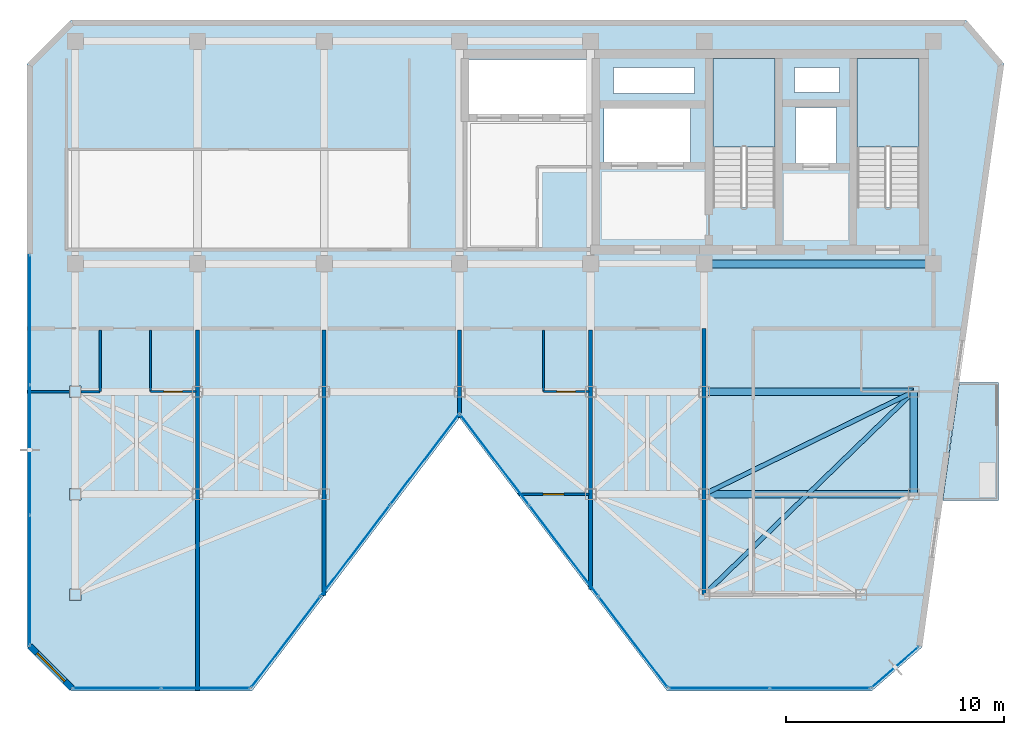
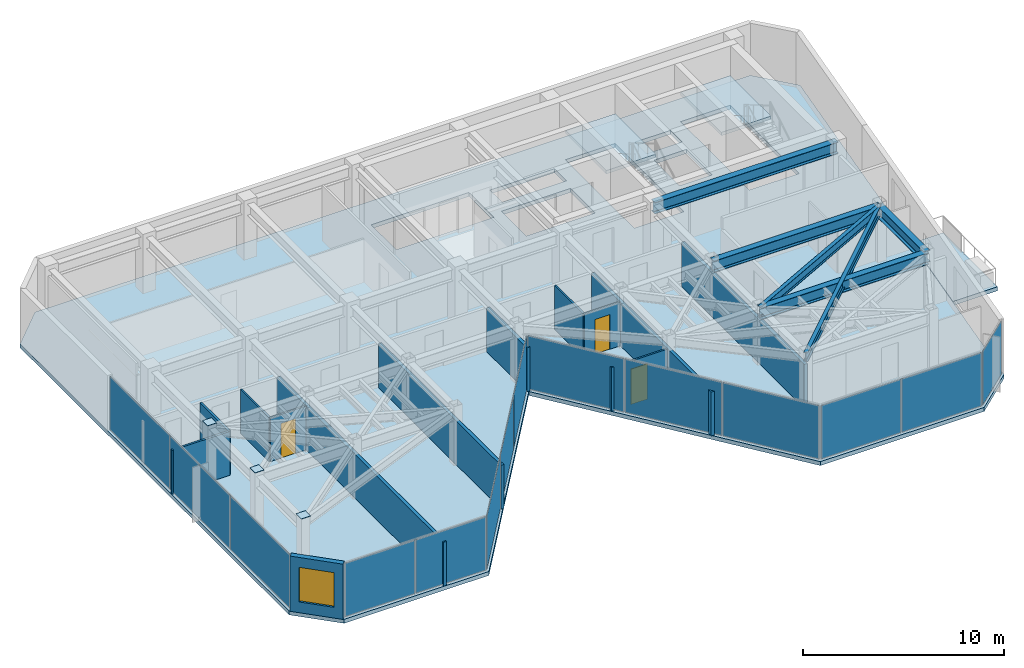
# One storey, part 15 of 19: 17 plates, 13 walls, 6 beams, 4 slabs, 3 doors, 1 window, 4 openings, 8 elements without a shape of their own.
"""IFC4 building model written with IfcOpenShell, lengths in metres."""

from ifc_helpers import new_model, si_unit, direction, frame, frame_2d, origin, origin_2d, place, context, subcontext, project, spatial, polyline, rectangle, i_section, outline, extrude, material, layer, layer_set, material_profile, profile_set, type_object, element, fill, aggregate, save


model = new_model("IFC4")

# Units and contexts
model_context = context("Model", 3, precision=1e-05, world=origin(), true_north=direction((0.0, 1.0)))
body_context = subcontext(model_context, "Body", "Model", "MODEL_VIEW")
ifc_project = project(units=[si_unit("LENGTHUNIT", "METRE"), si_unit("AREAUNIT", "SQUARE_METRE"), si_unit("VOLUMEUNIT", "CUBIC_METRE"), si_unit("PLANEANGLEUNIT", "RADIAN"), si_unit("MASSUNIT", "GRAM", prefix="KILO")], contexts=[model_context])

# Site, building, storey
site_placement = place(None, origin())
site = spatial("IfcSite", under=ifc_project, at=site_placement, CompositionType="ELEMENT")
building_placement = place(site_placement, origin())
building = spatial("IfcBuilding", under=site, at=building_placement, Name="Kravanh Interchange Tower", CompositionType="ELEMENT")
storey_placement = place(building_placement, frame((0.0, 0.0, 259.800048828125)))
storey = spatial("IfcBuildingStorey", under=building, at=storey_placement, Name="L63", CompositionType="ELEMENT", Elevation=259.800048828125)

# Beams
ifc_material_1 = material(Name="Structural Steel S355", Category="steel")
ifc_material_profile_1 = material_profile(ifc_material_1, i_section(OverallWidth=0.35498046875, OverallDepth=0.696044921875, WebThickness=0.015380859375, FlangeThickness=0.02490234375, FilletRadius=0.02392578125, at=origin_2d()), Name="W27X146")
ifc_profile_set_1 = profile_set([ifc_material_profile_1], Name="Structural Steel S355")
beam_type_1 = type_object("IfcBeamType", Name="Floor Beam W27X146 Structural Steel S355", PredefinedType="BEAM", material=ifc_profile_set_1)
beam_1_placement = place(storey_placement, frame((56.0, 31.5, 3.001953125), z_axis=(1.0, 0.0, 0.0), x_axis=(0.0, 1.0, 0.0)))
element("IfcBeam", 1, at=beam_1_placement, inside=storey, type_object=beam_type_1, Name="L63 Primary Floor Girder 12", PredefinedType="BEAM", context=body_context, shape_type="SweptSolid", body=[
    extrude(i_section(OverallWidth=0.35498046875, OverallDepth=0.696044921875, WebThickness=0.015380859375, FlangeThickness=0.02490234375, FilletRadius=0.02392578125, at=origin_2d()), origin(), (0.0, 0.0, 1.0), 9.60009765625),
])
beam_2_placement = place(storey_placement, frame((65.60009765625, 31.5, 3.001953125), z_axis=(0.0, -1.0, 0.0), x_axis=(1.0, 0.0, 0.0)))
element("IfcBeam", 2, at=beam_2_placement, inside=storey, type_object=beam_type_1, Name="L63 Primary Floor Girder 13", PredefinedType="BEAM", context=body_context, shape_type="SweptSolid", body=[
    extrude(i_section(OverallWidth=0.35498046875, OverallDepth=0.696044921875, WebThickness=0.015380859375, FlangeThickness=0.02490234375, FilletRadius=0.02392578125, at=origin_2d()), origin(), (0.0, 0.0, 1.0), 4.699951171875),
])
beam_3_placement = place(storey_placement, frame((56.0, 26.800048828125, 3.001953125), z_axis=(1.0, 0.0, 0.0), x_axis=(0.0, 1.0, 0.0)))
element("IfcBeam", 3, at=beam_3_placement, inside=storey, type_object=beam_type_1, Name="L63 Primary Floor Girder 36", PredefinedType="BEAM", context=body_context, shape_type="SweptSolid", body=[
    extrude(i_section(OverallWidth=0.35498046875, OverallDepth=0.696044921875, WebThickness=0.015380859375, FlangeThickness=0.02490234375, FilletRadius=0.02392578125, at=origin_2d()), origin(), (0.0, 0.0, 1.0), 9.60009765625),
])
beam_4_placement = place(storey_placement, frame((66.5, 37.35009765625, 3.001953125), z_axis=(-1.0, 0.0, 0.0), x_axis=(0.0, -1.0, 0.0)))
element("IfcBeam", 4, at=beam_4_placement, inside=storey, type_object=beam_type_1, Name="L63 Primary Floor Girder 47", PredefinedType="BEAM", context=body_context, shape_type="SweptSolid", body=[
    extrude(i_section(OverallWidth=0.35498046875, OverallDepth=0.696044921875, WebThickness=0.015380859375, FlangeThickness=0.02490234375, FilletRadius=0.02392578125, at=origin_2d()), origin(), (0.0, 0.0, 1.0), 10.5),
])
ifc_material_2 = material(Name="Structural Steel S355", Category="steel")
ifc_material_profile_2 = material_profile(ifc_material_2, i_section(OverallWidth=0.2099609375, OverallDepth=0.537109375, WebThickness=0.010986328125, FlangeThickness=0.017333984375, FilletRadius=0.02001953125, at=origin_2d()), Name="W21X68")
ifc_profile_set_2 = profile_set([ifc_material_profile_2], Name="Structural Steel S355")
beam_type_2 = type_object("IfcBeamType", Name="Floor Spandrel W21X68 Structural Steel S355", PredefinedType="SPANDREL", material=ifc_profile_set_2)
beam_5_placement = place(storey_placement, frame((65.60009765625, 31.5, 3.08154296875), z_axis=(-0.898141688387, -0.439706160499, 0.0), x_axis=(0.439706160499, -0.898141688387, 0.0)))
element("IfcBeam", 5, at=beam_5_placement, inside=storey, type_object=beam_type_2, Name="L63 Perimeter Spandrel 15", PredefinedType="SPANDREL", context=body_context, shape_type="SweptSolid", body=[
    extrude(i_section(OverallWidth=0.2099609375, OverallDepth=0.537109375, WebThickness=0.010986328125, FlangeThickness=0.017333984375, FilletRadius=0.02001953125, at=origin_2d()), origin(), (0.0, 0.0, 1.0), 10.68896484375),
])
beam_6_placement = place(storey_placement, frame((65.60009765625, 31.5, 3.08154296875), z_axis=(-0.718241934329, -0.695793449072, 0.0), x_axis=(0.695793449072, -0.718241934329, 0.0)))
element("IfcBeam", 6, at=beam_6_placement, inside=storey, type_object=beam_type_2, Name="L63 Perimeter Spandrel 16", PredefinedType="SPANDREL", context=body_context, shape_type="SweptSolid", body=[
    extrude(i_section(OverallWidth=0.2099609375, OverallDepth=0.537109375, WebThickness=0.010986328125, FlangeThickness=0.017333984375, FilletRadius=0.02001953125, at=origin_2d()), origin(), (0.0, 0.0, 1.0), 13.3662109375),
])

# Curtain wall, plates
ifc_material_3 = material(Name="Anodised Bronze Aluminium", Category="aluminium")
ifc_layer_1 = layer(ifc_material_3, 0.179931640625)
ifc_layer_set_1 = layer_set([ifc_layer_1], Name="Unitised Curtain Wall System CW-HTL Luxury Hotel")
curtain_wall_type = type_object("IfcCurtainWallType", Name="Unitised Curtain Wall System CW-HTL Luxury Hotel", PredefinedType="NOTDEFINED", material=ifc_layer_set_1)
curtain_wall_1_placement = place(storey_placement, origin())
curtain_wall_1 = element("IfcCurtainWall", 7, at=curtain_wall_1_placement, inside=storey, type_object=curtain_wall_type, Name="L63 Unitised Curtain Wall CW-L63-01", PredefinedType="NOTDEFINED")
ifc_material_4 = material(Name="Low-E Laminated Architectural Glass", Category="glass")
ifc_layer_2 = layer(ifc_material_4, 0.030029296875)
ifc_layer_set_2 = layer_set([ifc_layer_2], Name="Acoustic Laminated Glazing 30mm")
plate_type_1 = type_object("IfcPlateType", Name="Acoustic Laminated Glazing 30mm", PredefinedType="CURTAIN_PANEL", material=ifc_layer_set_2)
plate_1_placement = place(storey_placement, frame((25.1201171875, 22.8564453125, 0.06005859375), z_axis=(0.0, 0.0, 1.0), x_axis=(0.0, 1.0, 0.0)))
plate_1 = element("IfcPlate", 8, at=plate_1_placement, type_object=plate_type_1, Name="CW-HTL panel 1.1", PredefinedType="CURTAIN_PANEL", context=body_context, shape_type="SweptSolid", body=[
    extrude(rectangle(XDim=5.8935546875, YDim=0.030029296875, at=origin_2d()), origin(), (0.0, 0.0, 1.0), 3.22998046875),
])
plate_2_placement = place(storey_placement, frame((25.1201171875, 28.824951171875, 0.06005859375), z_axis=(0.0, 0.0, 1.0), x_axis=(0.0, 1.0, 0.0)))
plate_2 = element("IfcPlate", 9, at=plate_2_placement, type_object=plate_type_1, Name="CW-HTL panel 2.1", PredefinedType="CURTAIN_PANEL", context=body_context, shape_type="SweptSolid", body=[
    extrude(rectangle(XDim=5.92333984375, YDim=0.030029296875, at=origin_2d()), origin(), (0.0, 0.0, 1.0), 3.22998046875),
])
plate_3_placement = place(storey_placement, frame((25.1201171875, 34.793212890625, 0.06005859375), z_axis=(0.0, 0.0, 1.0), x_axis=(0.0, 1.0, 0.0)))
plate_3 = element("IfcPlate", 10, at=plate_3_placement, type_object=plate_type_1, Name="CW-HTL panel 3.1", PredefinedType="CURTAIN_PANEL", context=body_context, shape_type="SweptSolid", body=[
    extrude(rectangle(XDim=5.8935546875, YDim=0.030029296875, at=origin_2d()), origin(), (0.0, 0.0, 1.0), 3.22998046875),
])
aggregate(curtain_wall_1, [plate_1, plate_2, plate_3])

# Curtain wall, plate
curtain_wall_2_placement = place(storey_placement, origin())
curtain_wall_2 = element("IfcCurtainWall", 11, at=curtain_wall_2_placement, inside=storey, type_object=curtain_wall_type, Name="L63 Unitised Curtain Wall CW-L63-02", PredefinedType="NOTDEFINED")
plate_4_placement = place(storey_placement, frame((64.745849609375, 18.880859375, 0.06005859375), z_axis=(0.0, 0.0, 1.0), x_axis=(-0.754717231494, -0.656050227106, 0.0)))
plate_4 = element("IfcPlate", 12, at=plate_4_placement, type_object=plate_type_1, Name="CW-HTL panel 1.1", PredefinedType="CURTAIN_PANEL", context=body_context, shape_type="SweptSolid", body=[
    extrude(rectangle(XDim=2.80908203125, YDim=0.030029296875, at=origin_2d()), origin(), (0.0, 0.0, 1.0), 3.22998046875),
])
aggregate(curtain_wall_2, [plate_4])

# Curtain wall, plates
curtain_wall_3_placement = place(storey_placement, origin())
curtain_wall_3 = element("IfcCurtainWall", 13, at=curtain_wall_3_placement, inside=storey, type_object=curtain_wall_type, Name="L63 Unitised Curtain Wall CW-L63-03", PredefinedType="NOTDEFINED")
plate_5_placement = place(storey_placement, frame((61.30517578125, 17.919921875, 0.06005859375), z_axis=(0.0, 0.0, 1.0), x_axis=(-1.0, 0.0, 0.0)))
plate_5 = element("IfcPlate", 14, at=plate_5_placement, type_object=plate_type_1, Name="CW-HTL panel 1.1", PredefinedType="CURTAIN_PANEL", context=body_context, shape_type="SweptSolid", body=[
    extrude(rectangle(XDim=4.550537109375, YDim=0.030029296875, at=origin_2d()), origin(), (0.0, 0.0, 1.0), 3.22998046875),
])
plate_6_placement = place(storey_placement, frame((56.69482421875, 17.919921875, 0.06005859375), z_axis=(0.0, 0.0, 1.0), x_axis=(-1.0, 0.0, 0.0)))
plate_6 = element("IfcPlate", 15, at=plate_6_placement, type_object=plate_type_1, Name="CW-HTL panel 2.1", PredefinedType="CURTAIN_PANEL", context=body_context, shape_type="SweptSolid", body=[
    extrude(rectangle(XDim=4.550537109375, YDim=0.030029296875, at=origin_2d()), origin(), (0.0, 0.0, 1.0), 3.22998046875),
])
aggregate(curtain_wall_3, [plate_5, plate_6])

curtain_wall_4_placement = place(storey_placement, origin())
curtain_wall_4 = element("IfcCurtainWall", 16, at=curtain_wall_4_placement, inside=storey, type_object=curtain_wall_type, Name="L63 Unitised Curtain Wall CW-L63-04", PredefinedType="NOTDEFINED")
plate_7_placement = place(storey_placement, frame((52.757080078125, 20.0283203125, 0.06005859375), z_axis=(0.0, 0.0, 1.0), x_axis=(-0.605082946564, 0.79616243806, 0.0)))
plate_7 = element("IfcPlate", 17, at=plate_7_placement, type_object=plate_type_1, Name="CW-HTL panel 1.1", PredefinedType="CURTAIN_PANEL", context=body_context, shape_type="SweptSolid", body=[
    extrude(rectangle(XDim=5.17626953125, YDim=0.030029296875, at=origin_2d()), origin(), (0.0, 0.0, 1.0), 3.22998046875),
])
plate_8_placement = place(storey_placement, frame((49.579833984375, 24.209228515625, 0.06005859375), z_axis=(0.0, 0.0, 1.0), x_axis=(-0.605082946564, 0.79616243806, 0.0)))
plate_8 = element("IfcPlate", 18, at=plate_8_placement, type_object=plate_type_1, Name="CW-HTL panel 2.1", PredefinedType="CURTAIN_PANEL", context=body_context, shape_type="SweptSolid", body=[
    extrude(rectangle(XDim=5.206298828125, YDim=0.030029296875, at=origin_2d()), origin(), (0.0, 0.0, 1.0), 3.22998046875),
])
plate_9_placement = place(storey_placement, frame((46.40234375, 28.389892578125, 0.06005859375), z_axis=(0.0, 0.0, 1.0), x_axis=(-0.605082946564, 0.79616243806, 0.0)))
plate_9 = element("IfcPlate", 19, at=plate_9_placement, type_object=plate_type_1, Name="CW-HTL panel 3.1", PredefinedType="CURTAIN_PANEL", context=body_context, shape_type="SweptSolid", body=[
    extrude(rectangle(XDim=5.17626953125, YDim=0.030029296875, at=origin_2d()), origin(), (0.0, 0.0, 1.0), 3.22998046875),
])
aggregate(curtain_wall_4, [plate_7, plate_8, plate_9])

curtain_wall_5_placement = place(storey_placement, origin())
curtain_wall_5 = element("IfcCurtainWall", 20, at=curtain_wall_5_placement, inside=storey, type_object=curtain_wall_type, Name="L63 Unitised Curtain Wall CW-L63-05", PredefinedType="NOTDEFINED")
plate_10_placement = place(storey_placement, frame((43.19775390625, 28.389892578125, 0.06005859375), z_axis=(0.0, 0.0, 1.0), x_axis=(-0.605082946564, -0.79616243806, 0.0)))
plate_10 = element("IfcPlate", 21, at=plate_10_placement, type_object=plate_type_1, Name="CW-HTL panel 1.1", PredefinedType="CURTAIN_PANEL", context=body_context, shape_type="SweptSolid", body=[
    extrude(rectangle(XDim=5.17626953125, YDim=0.030029296875, at=origin_2d()), origin(), (0.0, 0.0, 1.0), 3.22998046875),
])
plate_11_placement = place(storey_placement, frame((40.020263671875, 24.209228515625, 0.06005859375), z_axis=(0.0, 0.0, 1.0), x_axis=(-0.605082946564, -0.79616243806, 0.0)))
plate_11 = element("IfcPlate", 22, at=plate_11_placement, type_object=plate_type_1, Name="CW-HTL panel 2.1", PredefinedType="CURTAIN_PANEL", context=body_context, shape_type="SweptSolid", body=[
    extrude(rectangle(XDim=5.206298828125, YDim=0.030029296875, at=origin_2d()), origin(), (0.0, 0.0, 1.0), 3.22998046875),
])
plate_12_placement = place(storey_placement, frame((36.8427734375, 20.0283203125, 0.06005859375), z_axis=(0.0, 0.0, 1.0), x_axis=(-0.605082946564, -0.79616243806, 0.0)))
plate_12 = element("IfcPlate", 23, at=plate_12_placement, type_object=plate_type_1, Name="CW-HTL panel 3.1", PredefinedType="CURTAIN_PANEL", context=body_context, shape_type="SweptSolid", body=[
    extrude(rectangle(XDim=5.17626953125, YDim=0.030029296875, at=origin_2d()), origin(), (0.0, 0.0, 1.0), 3.22998046875),
])
aggregate(curtain_wall_5, [plate_10, plate_11, plate_12])

curtain_wall_6_placement = place(storey_placement, origin())
curtain_wall_6 = element("IfcCurtainWall", 24, at=curtain_wall_6_placement, inside=storey, type_object=curtain_wall_type, Name="L63 Unitised Curtain Wall CW-L63-06", PredefinedType="NOTDEFINED")
plate_13_placement = place(storey_placement, frame((33.177734375, 17.919921875, 0.06005859375), z_axis=(0.0, 0.0, 1.0), x_axis=(-1.0, 0.0, 0.0)))
plate_13 = element("IfcPlate", 25, at=plate_13_placement, type_object=plate_type_1, Name="CW-HTL panel 1.1", PredefinedType="CURTAIN_PANEL", context=body_context, shape_type="SweptSolid", body=[
    extrude(rectangle(XDim=4.00537109375, YDim=0.030029296875, at=origin_2d()), origin(), (0.0, 0.0, 1.0), 3.22998046875),
])
plate_14_placement = place(storey_placement, frame((29.1123046875, 17.919921875, 0.06005859375), z_axis=(0.0, 0.0, 1.0), x_axis=(-1.0, 0.0, 0.0)))
plate_14 = element("IfcPlate", 26, at=plate_14_placement, type_object=plate_type_1, Name="CW-HTL panel 2.1", PredefinedType="CURTAIN_PANEL", context=body_context, shape_type="SweptSolid", body=[
    extrude(rectangle(XDim=4.00537109375, YDim=0.030029296875, at=origin_2d()), origin(), (0.0, 0.0, 1.0), 3.22998046875),
])
aggregate(curtain_wall_6, [plate_13, plate_14])

# Plates
ifc_material_5 = material(Name="Structural Steel S355", Category="steel")
ifc_layer_3 = layer(ifc_material_5, 0.02490234375)
ifc_layer_set_3 = layer_set([ifc_layer_3], Name="Column End Cap Plate 520x520x25 S355")
plate_type_2 = type_object("IfcPlateType", Name="Column End Cap Plate 520x520x25 S355", PredefinedType="SHEET", material=ifc_layer_set_3)
for number, where, z_axis, x_axis, name in (
    (27, (27.199951171875, 31.5, 3.574951171875), (0.0, 0.0, 1.0), (1.0, 0.0, 0.0), "L63 Hollow Column CH_E7 End Cap Plate"),
    (28, (27.199951171875, 22.199951171875, 3.574951171875), (0.0, 0.0, 1.0), (1.0, 0.0, 0.0), "L63 Hollow Column CH_W1 End Cap Plate"),
    (29, (27.199951171875, 26.800048828125, 3.574951171875), (0.0, 0.0, 1.0), (1.0, 0.0, 0.0), "L63 Hollow Column CH_W1B End Cap Plate"),
):
    element("IfcPlate", number, at=place(storey_placement, frame(where, z_axis=z_axis, x_axis=x_axis)), inside=storey, type_object=plate_type_2, Name=name, PredefinedType="SHEET", context=body_context, shape_type="SweptSolid", body=[
        extrude(rectangle(XDim=0.52001953125, YDim=0.52001953125, at=origin_2d()), origin(), (0.0, 0.0, 1.0), 0.02490234375),
    ])

# Slab
ifc_material_6 = material(Name="Concrete C50/60", Category="concrete")
ifc_layer_4 = layer(ifc_material_6, 0.239990234375)
ifc_layer_set_4 = layer_set([ifc_layer_4], Name="Composite Floor Slab Concrete C50/60 240mm")
slab_type_1 = type_object("IfcSlabType", Name="Composite Floor Slab Concrete C50/60 240mm", PredefinedType="FLOOR", material=ifc_layer_set_4)
slab_1_placement = place(storey_placement, frame((0.0, 0.0, -0.239990234375)))
element("IfcSlab", 30, at=slab_1_placement, inside=storey, type_object=slab_type_1, Name="L63 Structural Floor Slab", PredefinedType="FLOOR", context=body_context, shape_type="SweptSolid", body=[
    extrude(outline(polyline([(25.0, 19.800048828125), (27.0, 17.800048828125), (35.300048828125, 17.800048828125), (44.800048828125, 30.300048828125), (54.300048828125, 17.800048828125), (63.685302734375, 17.800048828125), (65.963623046875, 19.780517578125), (69.7216796875, 46.51953125), (68.0, 48.5), (27.0, 48.5), (25.0, 46.5), (25.0, 19.800048828125)]), holes=[polyline([(65.85009765625, 39.925048828125), (65.85009765625, 46.75), (63.0, 46.75), (63.0, 39.925048828125), (65.85009765625, 39.925048828125)]), polyline([(59.25, 39.925048828125), (59.25, 46.75), (56.39990234375, 46.75), (56.39990234375, 39.925048828125), (59.25, 39.925048828125)]), polyline([(45.239990234375, 44.219970703125), (50.840087890625, 44.219970703125), (50.840087890625, 46.699951171875), (45.239990234375, 46.699951171875), (45.239990234375, 44.219970703125)]), polyline([(51.419921875, 42.02001953125), (55.3798828125, 42.02001953125), (55.3798828125, 44.47998046875), (51.419921875, 44.47998046875), (51.419921875, 42.02001953125)]), polyline([(60.179931640625, 41.97998046875), (62.06005859375, 41.97998046875), (62.06005859375, 44.52001953125), (60.179931640625, 44.52001953125), (60.179931640625, 41.97998046875)]), polyline([(60.14990234375, 45.199951171875), (62.199951171875, 45.199951171875), (62.199951171875, 46.35009765625), (60.14990234375, 46.35009765625), (60.14990234375, 45.199951171875)]), polyline([(51.85009765625, 45.14990234375), (55.550048828125, 45.14990234375), (55.550048828125, 46.35009765625), (51.85009765625, 46.35009765625), (51.85009765625, 45.14990234375)])]), origin(), (0.0, 0.0, 1.0), 0.239990234375),
])

# Stair, slab
ifc_material_7 = material(Name="Concrete C50/60", Category="concrete")
stair_type = type_object("IfcStairType", Name="Core Fire Exit Dogleg Stair Concrete C50/60", PredefinedType="HALF_TURN_STAIR", material=ifc_material_7)
stair_1_placement = place(storey_placement, origin())
stair_1 = element("IfcStair", 31, at=stair_1_placement, inside=storey, type_object=stair_type, Name="L63 Exit Stair ST1", PredefinedType="HALF_TURN_STAIR")
ifc_material_8 = material(Name="Concrete C50/60", Category="concrete")
ifc_layer_5 = layer(ifc_material_8, 0.199951171875)
ifc_layer_set_5 = layer_set([ifc_layer_5], Name="Concrete C50/60 Stair Half-Landing Slab 200mm")
slab_type_2 = type_object("IfcSlabType", Name="Concrete C50/60 Stair Half-Landing Slab 200mm", PredefinedType="LANDING", material=ifc_layer_set_5)
slab_2_placement = place(storey_placement, frame((0.0, 0.0, 1.599853515625)))
slab_2 = element("IfcSlab", 32, at=slab_2_placement, type_object=slab_type_2, Name="ST1 landing 1", PredefinedType="LANDING", context=body_context, shape_type="SweptSolid", body=[
    extrude(outline(polyline([(65.85009765625, 42.699951171875), (65.85009765625, 46.75), (63.0, 46.75), (63.0, 42.699951171875), (65.85009765625, 42.699951171875)])), origin(), (0.0, 0.0, 1.0), 0.2001953125),
])
aggregate(stair_1, [slab_2])

stair_2_placement = place(storey_placement, origin())
stair_2 = element("IfcStair", 33, at=stair_2_placement, inside=storey, type_object=stair_type, Name="L63 Exit Stair ST2", PredefinedType="HALF_TURN_STAIR")
slab_3_placement = place(storey_placement, frame((0.0, 0.0, 1.599853515625)))
slab_3 = element("IfcSlab", 34, at=slab_3_placement, type_object=slab_type_2, Name="ST2 landing 1", PredefinedType="LANDING", context=body_context, shape_type="SweptSolid", body=[
    extrude(outline(polyline([(59.25, 42.699951171875), (59.25, 46.75), (56.39990234375, 46.75), (56.39990234375, 42.699951171875), (59.25, 42.699951171875)])), origin(), (0.0, 0.0, 1.0), 0.2001953125),
])
aggregate(stair_2, [slab_3])

# Slab
ifc_material_9 = material(Name="Concrete C50/60", Category="concrete")
ifc_layer_6 = layer(ifc_material_9, 0.199951171875)
ifc_layer_set_6 = layer_set([ifc_layer_6], Name="Planted Tree Balcony Slab Concrete C50/60 200mm")
slab_type_3 = type_object("IfcSlabType", Name="Planted Tree Balcony Slab Concrete C50/60 200mm", PredefinedType="USERDEFINED", material=ifc_layer_set_6)
slab_4_placement = place(storey_placement, frame((0.0, 0.0, -0.239990234375)))
element("IfcSlab", 35, at=slab_4_placement, inside=storey, type_object=slab_type_3, Name="L63 East Tree Planter Balcony Slab", ObjectType="BALCONY", PredefinedType="USERDEFINED", context=body_context, shape_type="SweptSolid", body=[
    extrude(outline(polyline([(69.489990234375, 31.909912109375), (69.489990234375, 26.510009765625), (66.924560546875, 26.510009765625), (67.68359375, 31.909912109375), (69.489990234375, 31.909912109375)])), origin(), (0.0, 0.0, 1.0), 0.239990234375),
])

# Walls
ifc_material_10 = material(Name="Double Acoustic Gypsum Board and Mineral Wool")
ifc_layer_7 = layer(ifc_material_10, 0.1201171875)
ifc_layer_set_7 = layer_set([ifc_layer_7], Name="Acoustic Office Drywall Partition 120mm")
wall_type_1 = type_object("IfcWallType", Name="Acoustic Office Drywall Partition 120mm", PredefinedType="PARTITIONING", material=ifc_layer_set_7)
wall_1_placement = place(storey_placement, frame((28.340087890625, 31.5, 0.0), z_axis=(0.0, 0.0, 1.0), x_axis=(0.0, 1.0, 0.0)))
element("IfcWall", 36, at=wall_1_placement, inside=storey, type_object=wall_type_1, Name="L63 Interior Partition 15", PredefinedType="PARTITIONING", context=body_context, shape_type="SweptSolid", body=[
    extrude(rectangle(XDim=2.83203125, YDim=0.1201171875, at=frame_2d((1.416015625, 0.0))), origin(), (0.0, 0.0, 1.0), 2.654052734375),
])
wall_2_placement = place(storey_placement, frame((25.014892578125, 31.5, 0.0), z_axis=(0.0, 0.0, 1.0), x_axis=(1.0, 0.0, 0.0)))
element("IfcWall", 37, at=wall_2_placement, inside=storey, type_object=wall_type_1, Name="L63 Interior Partition 16", PredefinedType="PARTITIONING", context=body_context, shape_type="SweptSolid", body=[
    extrude(rectangle(XDim=3.3251953125, YDim=0.1201171875, at=frame_2d((1.66259765625, 0.0))), origin(), (0.0, 0.0, 1.0), 2.654052734375),
])
ifc_material_11 = material(Name="Moisture-Resistant Gypsum Board and Mineral Wool")
ifc_layer_8 = layer(ifc_material_11, 0.10009765625)
ifc_layer_set_8 = layer_set([ifc_layer_8], Name="En-Suite Moisture-Resistant Partition 100mm")
wall_type_2 = type_object("IfcWallType", Name="En-Suite Moisture-Resistant Partition 100mm", PredefinedType="PARTITIONING", material=ifc_layer_set_8)
wall_3_placement = place(storey_placement, frame((30.64990234375, 31.5, 0.0), z_axis=(0.0, 0.0, 1.0), x_axis=(0.0, 1.0, 0.0)))
element("IfcWall", 38, at=wall_3_placement, inside=storey, type_object=wall_type_2, Name="L63 Interior Partition 21", PredefinedType="PARTITIONING", context=body_context, shape_type="SweptSolid", body=[
    extrude(rectangle(XDim=2.83203125, YDim=0.10009765625, at=frame_2d((1.416015625, 0.0))), origin(), (0.0, 0.0, 1.0), 2.654052734375),
])

# Wall, opening, door
wall_4_placement = place(storey_placement, frame((30.64990234375, 31.5, 0.0), z_axis=(0.0, 0.0, 1.0), x_axis=(1.0, 0.0, 0.0)))
wall_4 = element("IfcWall", 39, at=wall_4_placement, inside=storey, type_object=wall_type_2, Name="L63 Interior Partition 22", PredefinedType="PARTITIONING", context=body_context, shape_type="SweptSolid", body=[
    extrude(rectangle(XDim=2.08203125, YDim=0.10009765625, at=frame_2d((1.041015625, 0.0))), origin(), (0.0, 0.0, 1.0), 2.654052734375),
])
opening_1_placement = place(wall_4_placement, frame((0.607421875, 0.0, 0.0)))
opening_1 = element("IfcOpeningElement", 40, at=opening_1_placement, cuts=wall_4, Name="Opening D-85", PredefinedType="OPENING", context=body_context, shape_type="SweptSolid", body=[
    extrude(rectangle(XDim=0.85009765625, YDim=2.10009765625, at=frame_2d((0.425048828125, 1.050048828125))), frame((0.0, 0.06005859375, 0.0), z_axis=(0.0, -1.0, 0.0), x_axis=(1.0, 0.0, 0.0)), (0.0, 0.0, 1.0), 0.1201171875),
])
ifc_material_12 = material(Name="Engineered Teak Veneer Timber", Category="wood")
door_type_1 = type_object("IfcDoorType", Name="En-Suite Timber Door 850x2100", OperationType="NOTDEFINED", PredefinedType="DOOR", material=ifc_material_12)
door_1_placement = place(opening_1_placement, origin())
door_1 = element("IfcDoor", 41, at=door_1_placement, inside=storey, type_object=door_type_1, Name="L63 En-suite Bathroom Door", OperationType="SINGLE_SWING_RIGHT", OverallHeight=2.10009765625, OverallWidth=0.85009765625, PredefinedType="DOOR", context=body_context, shape_type="SweptSolid", body=[
    extrude(rectangle(XDim=0.85009765625, YDim=2.10009765625, at=frame_2d((0.425048828125, 1.050048828125))), frame((0.0, 0.02490234375, 0.0), z_axis=(0.0, -1.0, 0.0), x_axis=(1.0, 0.0, 0.0)), (0.0, 0.0, 1.0), 0.050048828125),
])
fill(opening_1, door_1)

wall_5_placement = place(storey_placement, frame((47.478759765625, 26.800048828125, 0.0), z_axis=(0.0, 0.0, 1.0), x_axis=(1.0, 0.0, 0.0)))
wall_5 = element("IfcWall", 42, at=wall_5_placement, inside=storey, type_object=wall_type_2, Name="L63 Interior Partition 26", PredefinedType="PARTITIONING", context=body_context, shape_type="SweptSolid", body=[
    extrude(rectangle(XDim=3.253173828125, YDim=0.10009765625, at=frame_2d((1.62646484375, 0.0))), origin(), (0.0, 0.0, 1.0), 2.654052734375),
])
opening_2_placement = place(wall_5_placement, frame((1.14453125, 0.0, 0.0)))
opening_2 = element("IfcOpeningElement", 43, at=opening_2_placement, cuts=wall_5, Name="Opening D-95", PredefinedType="OPENING", context=body_context, shape_type="SweptSolid", body=[
    extrude(rectangle(XDim=0.949951171875, YDim=2.14990234375, at=frame_2d((0.47509765625, 1.074951171875))), frame((0.0, 0.06005859375, 0.0), z_axis=(0.0, -1.0, 0.0), x_axis=(1.0, 0.0, 0.0)), (0.0, 0.0, 1.0), 0.1201171875),
])
ifc_material_13 = material(Name="Laminate Solid-Core Timber", Category="wood")
door_type_2 = type_object("IfcDoorType", Name="Accessible Restroom Door 950x2150", OperationType="NOTDEFINED", PredefinedType="DOOR", material=ifc_material_13)
door_2_placement = place(opening_2_placement, origin())
door_2 = element("IfcDoor", 44, at=door_2_placement, inside=storey, type_object=door_type_2, Name="L63 Sunroom Alcove Inner Door", OperationType="SINGLE_SWING_LEFT", OverallHeight=2.14990234375, OverallWidth=0.949951171875, PredefinedType="DOOR", context=body_context, shape_type="SweptSolid", body=[
    extrude(rectangle(XDim=0.949951171875, YDim=2.14990234375, at=frame_2d((0.47509765625, 1.074951171875))), frame((0.0, 0.02490234375, 0.0), z_axis=(0.0, -1.0, 0.0), x_axis=(1.0, 0.0, 0.0)), (0.0, 0.0, 1.0), 0.050048828125),
])
fill(opening_2, door_2)

# Wall
wall_6_placement = place(storey_placement, frame((48.64990234375, 31.5, 0.0), z_axis=(0.0, 0.0, 1.0), x_axis=(0.0, 1.0, 0.0)))
element("IfcWall", 45, at=wall_6_placement, inside=storey, type_object=wall_type_2, Name="L63 Interior Partition 27", PredefinedType="PARTITIONING", context=body_context, shape_type="SweptSolid", body=[
    extrude(rectangle(XDim=2.83203125, YDim=0.10009765625, at=frame_2d((1.416015625, 0.0))), origin(), (0.0, 0.0, 1.0), 2.654052734375),
])

# Wall, opening, door
wall_7_placement = place(storey_placement, frame((48.64990234375, 31.5, 0.0), z_axis=(0.0, 0.0, 1.0), x_axis=(1.0, 0.0, 0.0)))
wall_7 = element("IfcWall", 46, at=wall_7_placement, inside=storey, type_object=wall_type_2, Name="L63 Interior Partition 28", PredefinedType="PARTITIONING", context=body_context, shape_type="SweptSolid", body=[
    extrude(rectangle(XDim=2.08203125, YDim=0.10009765625, at=frame_2d((1.041015625, 0.0))), origin(), (0.0, 0.0, 1.0), 2.654052734375),
])
opening_3_placement = place(wall_7_placement, frame((0.607421875, 0.0, 0.0)))
opening_3 = element("IfcOpeningElement", 47, at=opening_3_placement, cuts=wall_7, Name="Opening D-85", PredefinedType="OPENING", context=body_context, shape_type="SweptSolid", body=[
    extrude(rectangle(XDim=0.85009765625, YDim=2.10009765625, at=frame_2d((0.425048828125, 1.050048828125))), frame((0.0, 0.06005859375, 0.0), z_axis=(0.0, -1.0, 0.0), x_axis=(1.0, 0.0, 0.0)), (0.0, 0.0, 1.0), 0.1201171875),
])
door_3_placement = place(opening_3_placement, origin())
door_3 = element("IfcDoor", 48, at=door_3_placement, inside=storey, type_object=door_type_1, Name="L63 En-suite Bathroom Door", OperationType="SINGLE_SWING_LEFT", OverallHeight=2.10009765625, OverallWidth=0.85009765625, PredefinedType="DOOR", context=body_context, shape_type="SweptSolid", body=[
    extrude(rectangle(XDim=0.85009765625, YDim=2.10009765625, at=frame_2d((0.425048828125, 1.050048828125))), frame((0.0, 0.02490234375, 0.0), z_axis=(0.0, -1.0, 0.0), x_axis=(1.0, 0.0, 0.0)), (0.0, 0.0, 1.0), 0.050048828125),
])
fill(opening_3, door_3)

# Wall, opening, window
ifc_material_14 = material(Name="Insulated Precast Concrete C40/50 with Bronze Cladding", Category="concrete")
ifc_layer_9 = layer(ifc_material_14, 0.280029296875)
ifc_layer_set_9 = layer_set([ifc_layer_9], Name="Exterior Insulated Concrete C40/50 Bronze Spandrel Wall 280mm")
wall_type_3 = type_object("IfcWallType", Name="Exterior Insulated Concrete C40/50 Bronze Spandrel Wall 280mm", PredefinedType="STANDARD", material=ifc_layer_set_9)
wall_8_placement = place(storey_placement, frame((27.0498046875, 17.919921875, 0.0), z_axis=(0.0, 0.0, 1.0), x_axis=(-0.707106781187, 0.707106781187, 0.0)))
wall_8 = element("IfcWall", 49, at=wall_8_placement, inside=storey, type_object=wall_type_3, Name="L63 Exterior Wall 7", PredefinedType="STANDARD", context=body_context, shape_type="SweptSolid", body=[
    extrude(rectangle(XDim=2.72900390625, YDim=0.280029296875, at=frame_2d((1.364501953125, 0.0))), origin(), (0.0, 0.0, 1.0), 3.349853515625),
])
opening_4_placement = place(wall_8_placement, frame((0.455078125, 0.0, 0.64990234375)))
opening_4 = element("IfcOpeningElement", 50, at=opening_4_placement, cuts=wall_8, Name="Opening WN-180X210", PredefinedType="OPENING", context=body_context, shape_type="SweptSolid", body=[
    extrude(rectangle(XDim=1.800048828125, YDim=2.10009765625, at=frame_2d((0.89990234375, 1.050048828125))), frame((0.0, 0.14990234375, 0.0), z_axis=(0.0, -1.0, 0.0), x_axis=(1.0, 0.0, 0.0)), (0.0, 0.0, 1.0), 0.300048828125),
])
ifc_material_15 = material(Name="Thermally Broken Bronze Aluminium and Low-E Glass", Category="aluminium")
window_type = type_object("IfcWindowType", Name="Tower Pier Window 1800x2100", PartitioningType="SINGLE_PANEL", PredefinedType="WINDOW", material=ifc_material_15)
window_placement = place(opening_4_placement, origin())
window = element("IfcWindow", 51, at=window_placement, inside=storey, type_object=window_type, Name="L63 Corner Window 7", OverallHeight=2.10009765625, OverallWidth=1.800048828125, PartitioningType="SINGLE_PANEL", PredefinedType="WINDOW", context=body_context, shape_type="SweptSolid", body=[
    extrude(rectangle(XDim=1.800048828125, YDim=2.10009765625, at=frame_2d((0.89990234375, 1.050048828125))), frame((0.0, 0.030029296875, 0.0), z_axis=(0.0, -1.0, 0.0), x_axis=(1.0, 0.0, 0.0)), (0.0, 0.0, 1.0), 0.06005859375),
])
fill(opening_4, window)

# Walls
ifc_material_16 = material(Name="Autoclaved Aerated Concrete C30/37 Blockwork", Category="masonry")
ifc_layer_10 = layer(ifc_material_16, 0.179931640625)
ifc_layer_set_10 = layer_set([ifc_layer_10], Name="Fire-Rated Lobby and Corridor Wall Concrete C30/37 180mm")
wall_type_4 = type_object("IfcWallType", Name="Fire-Rated Lobby and Corridor Wall Concrete C30/37 180mm", PredefinedType="STANDARD", material=ifc_layer_set_10)
wall_9_placement = place(storey_placement, frame((56.0, 22.199951171875, 0.0), z_axis=(0.0, 0.0, 1.0), x_axis=(0.0, 1.0, 0.0)))
element("IfcWall", 52, at=wall_9_placement, inside=storey, type_object=wall_type_4, Name="L63 Interior Partition 12", PredefinedType="STANDARD", context=body_context, shape_type="SweptSolid", body=[
    extrude(rectangle(XDim=12.199951171875, YDim=0.179931640625, at=frame_2d((6.10009765625, 0.0))), origin(), (0.0, 0.0, 1.0), 2.654052734375),
])
wall_10_placement = place(storey_placement, frame((32.800048828125, 17.81494140625, 0.0), z_axis=(0.0, 0.0, 1.0), x_axis=(0.0, 1.0, 0.0)))
element("IfcWall", 53, at=wall_10_placement, inside=storey, type_object=wall_type_4, Name="L63 Interior Partition 23", PredefinedType="STANDARD", context=body_context, shape_type="SweptSolid", body=[
    extrude(rectangle(XDim=16.51708984375, YDim=0.179931640625, at=frame_2d((8.258544921875, 0.0))), origin(), (0.0, 0.0, 1.0), 2.654052734375),
])
wall_11_placement = place(storey_placement, frame((38.60009765625, 22.1669921875, 0.0), z_axis=(0.0, 0.0, 1.0), x_axis=(0.0, 1.0, 0.0)))
element("IfcWall", 54, at=wall_11_placement, inside=storey, type_object=wall_type_4, Name="L63 Interior Partition 24", PredefinedType="STANDARD", context=body_context, shape_type="SweptSolid", body=[
    extrude(rectangle(XDim=12.1650390625, YDim=0.179931640625, at=frame_2d((6.08251953125, 0.0))), origin(), (0.0, 0.0, 1.0), 2.654052734375),
])
wall_12_placement = place(storey_placement, frame((44.800048828125, 30.32470703125, 0.0), z_axis=(0.0, 0.0, 1.0), x_axis=(0.0, 1.0, 0.0)))
element("IfcWall", 55, at=wall_12_placement, inside=storey, type_object=wall_type_4, Name="L63 Interior Partition 25", PredefinedType="STANDARD", context=body_context, shape_type="SweptSolid", body=[
    extrude(rectangle(XDim=4.00732421875, YDim=0.179931640625, at=frame_2d((2.003662109375, 0.0))), origin(), (0.0, 0.0, 1.0), 2.654052734375),
])
wall_13_placement = place(storey_placement, frame((50.800048828125, 22.43017578125, 0.0), z_axis=(0.0, 0.0, 1.0), x_axis=(0.0, 1.0, 0.0)))
element("IfcWall", 56, at=wall_13_placement, inside=storey, type_object=wall_type_4, Name="L63 Interior Partition 29", PredefinedType="STANDARD", context=body_context, shape_type="SweptSolid", body=[
    extrude(rectangle(XDim=11.90185546875, YDim=0.179931640625, at=frame_2d((5.950927734375, 0.0))), origin(), (0.0, 0.0, 1.0), 2.654052734375),
])

save(model, "model.ifc")
